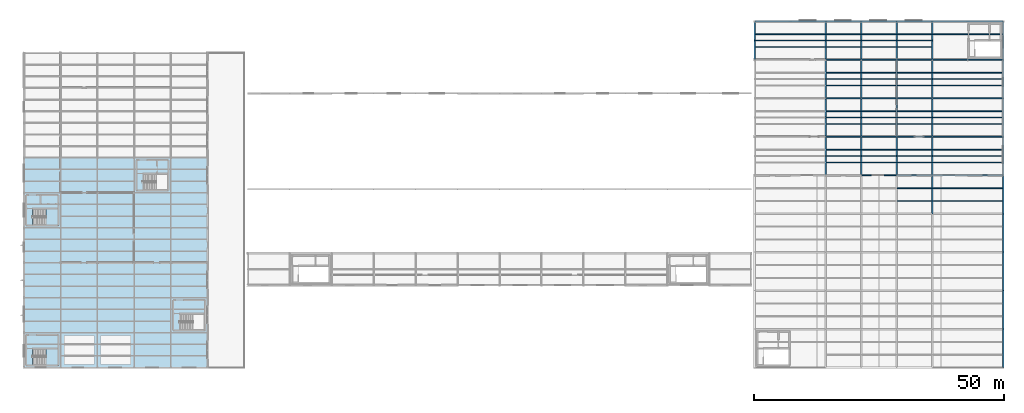
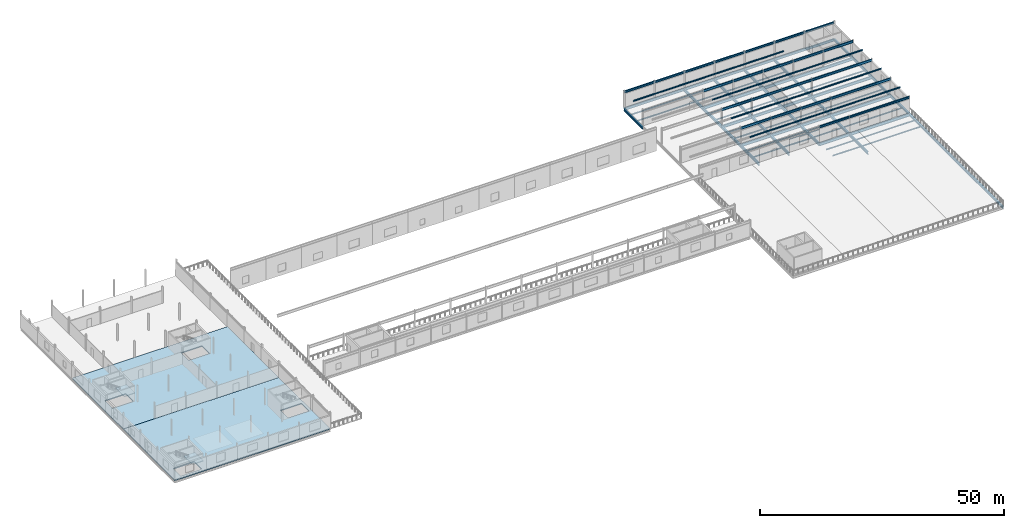
# One storey, part 26 of 39: 119 beams, 4 slabs, 2 elements without a shape of their own.
"""IFC4 building model written with IfcOpenShell, lengths in metres."""

from ifc_helpers import new_model, si_unit, direction, frame, origin, origin_2d, place, context, subcontext, project, spatial, polyline, hollow_rectangle, i_section, outline, extrude, material, layer, layer_set, material_profile, profile_set, type_object, element, aggregate, save


model = new_model("IFC4")

# Units and contexts
model_context = context("Model", 3, precision=1e-05, world=origin(), true_north=direction((0.0, 1.0)))
body_context = subcontext(model_context, "Body", "Model", "MODEL_VIEW")
ifc_project = project(units=[si_unit("LENGTHUNIT", "METRE"), si_unit("AREAUNIT", "SQUARE_METRE"), si_unit("VOLUMEUNIT", "CUBIC_METRE"), si_unit("PLANEANGLEUNIT", "RADIAN"), si_unit("MASSUNIT", "GRAM", prefix="KILO")], contexts=[model_context])

# Site, building, storey
site_placement = place(None, origin())
site = spatial("IfcSite", under=ifc_project, at=site_placement, CompositionType="ELEMENT")
building_placement = place(site_placement, origin())
building = spatial("IfcBuilding", under=site, at=building_placement, Name="Kazenagashi Tramway Depot", CompositionType="ELEMENT")
storey_placement = place(building_placement, frame((0.0, 0.0, 11.1)))
storey = spatial("IfcBuildingStorey", under=building, at=storey_placement, Name="L03", CompositionType="ELEMENT", Elevation=11.1)

# Beams
ifc_material_1 = material(Name="Steel SN490B", Category="steel")
ifc_material_profile_1 = material_profile(ifc_material_1, i_section(OverallWidth=0.3, OverallDepth=0.7, WebThickness=0.013, FlangeThickness=0.024, at=origin_2d()), Name="H-700x300x13x24")
ifc_profile_set_1 = profile_set([ifc_material_profile_1], Name="Steel SN490B")
beam_type_1 = type_object("IfcBeamType", Name="G-02", PredefinedType="BEAM", material=ifc_profile_set_1)
beam_1_placement = place(storey_placement, frame((174.7, 38.5, -0.6), z_axis=(1.0, 0.0, 0.0), x_axis=(0.0, 1.0, 0.0)))
element("IfcBeam", 1, at=beam_1_placement, inside=storey, type_object=beam_type_1, Name="Beam G-02 BM-1382", PredefinedType="BEAM", context=body_context, shape_type="SweptSolid", body=[
    extrude(i_section(OverallWidth=0.3, OverallDepth=0.7, WebThickness=0.013, FlangeThickness=0.024, at=origin_2d()), origin(), (0.0, 0.0, 1.0), 7.1),
])
beam_2_placement = place(storey_placement, frame((181.8, 38.5, -0.6), z_axis=(1.0, 0.0, 0.0), x_axis=(0.0, 1.0, 0.0)))
element("IfcBeam", 2, at=beam_2_placement, inside=storey, type_object=beam_type_1, Name="Beam G-02 BM-1383", PredefinedType="BEAM", context=body_context, shape_type="SweptSolid", body=[
    extrude(i_section(OverallWidth=0.3, OverallDepth=0.7, WebThickness=0.013, FlangeThickness=0.024, at=origin_2d()), origin(), (0.0, 0.0, 1.0), 14.2),
])
for number, where, z_axis, x_axis, name in (
    (3, (160.5, 46.2, -0.6), (1.0, 0.0, 0.0), (0.0, 1.0, 0.0), "Beam G-02 BM-1385"),
    (4, (167.6, 46.2, -0.6), (1.0, 0.0, 0.0), (0.0, 1.0, 0.0), "Beam G-02 BM-1386"),
    (5, (174.7, 46.2, -0.6), (1.0, 0.0, 0.0), (0.0, 1.0, 0.0), "Beam G-02 BM-1387"),
):
    element("IfcBeam", number, at=place(storey_placement, frame(where, z_axis=z_axis, x_axis=x_axis)), inside=storey, type_object=beam_type_1, Name=name, PredefinedType="BEAM", context=body_context, shape_type="SweptSolid", body=[
        extrude(i_section(OverallWidth=0.3, OverallDepth=0.7, WebThickness=0.013, FlangeThickness=0.024, at=origin_2d()), origin(), (0.0, 0.0, 1.0), 7.1),
    ])
beam_3_placement = place(storey_placement, frame((181.8, 46.2, -0.6), z_axis=(1.0, 0.0, 0.0), x_axis=(0.0, 1.0, 0.0)))
element("IfcBeam", 6, at=beam_3_placement, inside=storey, type_object=beam_type_1, Name="Beam G-02 BM-1388", PredefinedType="BEAM", context=body_context, shape_type="SweptSolid", body=[
    extrude(i_section(OverallWidth=0.3, OverallDepth=0.7, WebThickness=0.013, FlangeThickness=0.024, at=origin_2d()), origin(), (0.0, 0.0, 1.0), 14.2),
])
for number, where, z_axis, x_axis, name in (
    (7, (160.5, 53.9, -0.6), (1.0, 0.0, 0.0), (0.0, 1.0, 0.0), "Beam G-02 BM-1390"),
    (8, (167.6, 53.9, -0.6), (1.0, 0.0, 0.0), (0.0, 1.0, 0.0), "Beam G-02 BM-1391"),
    (9, (174.7, 53.9, -0.6), (1.0, 0.0, 0.0), (0.0, 1.0, 0.0), "Beam G-02 BM-1392"),
):
    element("IfcBeam", number, at=place(storey_placement, frame(where, z_axis=z_axis, x_axis=x_axis)), inside=storey, type_object=beam_type_1, Name=name, PredefinedType="BEAM", context=body_context, shape_type="SweptSolid", body=[
        extrude(i_section(OverallWidth=0.3, OverallDepth=0.7, WebThickness=0.013, FlangeThickness=0.024, at=origin_2d()), origin(), (0.0, 0.0, 1.0), 7.1),
    ])
beam_4_placement = place(storey_placement, frame((181.8, 53.9, -0.6), z_axis=(1.0, 0.0, 0.0), x_axis=(0.0, 1.0, 0.0)))
element("IfcBeam", 10, at=beam_4_placement, inside=storey, type_object=beam_type_1, Name="Beam G-02 BM-1393", PredefinedType="BEAM", context=body_context, shape_type="SweptSolid", body=[
    extrude(i_section(OverallWidth=0.3, OverallDepth=0.7, WebThickness=0.013, FlangeThickness=0.024, at=origin_2d()), origin(), (0.0, 0.0, 1.0), 14.2),
])
for number, where, z_axis, x_axis, name in (
    (11, (160.5, 61.6, -0.6), (1.0, 0.0, 0.0), (0.0, 1.0, 0.0), "Beam G-02 BM-1395"),
    (12, (167.6, 61.6, -0.6), (1.0, 0.0, 0.0), (0.0, 1.0, 0.0), "Beam G-02 BM-1396"),
    (13, (174.7, 61.6, -0.6), (1.0, 0.0, 0.0), (0.0, 1.0, 0.0), "Beam G-02 BM-1397"),
):
    element("IfcBeam", number, at=place(storey_placement, frame(where, z_axis=z_axis, x_axis=x_axis)), inside=storey, type_object=beam_type_1, Name=name, PredefinedType="BEAM", context=body_context, shape_type="SweptSolid", body=[
        extrude(i_section(OverallWidth=0.3, OverallDepth=0.7, WebThickness=0.013, FlangeThickness=0.024, at=origin_2d()), origin(), (0.0, 0.0, 1.0), 7.1),
    ])
beam_5_placement = place(storey_placement, frame((181.8, 61.6, -0.6), z_axis=(1.0, 0.0, 0.0), x_axis=(0.0, 1.0, 0.0)))
element("IfcBeam", 14, at=beam_5_placement, inside=storey, type_object=beam_type_1, Name="Beam G-02 BM-1398", PredefinedType="BEAM", context=body_context, shape_type="SweptSolid", body=[
    extrude(i_section(OverallWidth=0.3, OverallDepth=0.7, WebThickness=0.013, FlangeThickness=0.024, at=origin_2d()), origin(), (0.0, 0.0, 1.0), 14.2),
])
for number, where, z_axis, x_axis, name in (
    (15, (160.5, 38.5, -0.6), (0.0, 1.0, 0.0), (-1.0, 0.0, 0.0), "Beam G-02 BM-1445"),
    (16, (160.5, 46.2, -0.6), (0.0, 1.0, 0.0), (-1.0, 0.0, 0.0), "Beam G-02 BM-1448"),
    (17, (160.5, 53.9, -0.6), (0.0, 1.0, 0.0), (-1.0, 0.0, 0.0), "Beam G-02 BM-1451"),
    (18, (160.5, 61.6, -0.6), (0.0, 1.0, 0.0), (-1.0, 0.0, 0.0), "Beam G-02 BM-1454"),
    (19, (167.6, 38.5, -0.6), (0.0, 1.0, 0.0), (-1.0, 0.0, 0.0), "Beam G-02 BM-1472"),
    (20, (167.6, 46.2, -0.6), (0.0, 1.0, 0.0), (-1.0, 0.0, 0.0), "Beam G-02 BM-1475"),
    (21, (167.6, 53.9, -0.6), (0.0, 1.0, 0.0), (-1.0, 0.0, 0.0), "Beam G-02 BM-1478"),
    (22, (167.6, 61.6, -0.6), (0.0, 1.0, 0.0), (-1.0, 0.0, 0.0), "Beam G-02 BM-1481"),
    (23, (174.7, 38.5, -0.6), (0.0, 1.0, 0.0), (-1.0, 0.0, 0.0), "Beam G-02 BM-1499"),
    (24, (174.7, 46.2, -0.6), (0.0, 1.0, 0.0), (-1.0, 0.0, 0.0), "Beam G-02 BM-1502"),
    (25, (174.7, 53.9, -0.6), (0.0, 1.0, 0.0), (-1.0, 0.0, 0.0), "Beam G-02 BM-1505"),
    (26, (174.7, 61.6, -0.6), (0.0, 1.0, 0.0), (-1.0, 0.0, 0.0), "Beam G-02 BM-1508"),
    (27, (181.8, 30.8, -0.6), (0.0, 1.0, 0.0), (-1.0, 0.0, 0.0), "Beam G-02 BM-1523"),
    (28, (181.8, 38.5, -0.6), (0.0, 1.0, 0.0), (-1.0, 0.0, 0.0), "Beam G-02 BM-1526"),
    (29, (181.8, 46.2, -0.6), (0.0, 1.0, 0.0), (-1.0, 0.0, 0.0), "Beam G-02 BM-1529"),
    (30, (181.8, 53.9, -0.6), (0.0, 1.0, 0.0), (-1.0, 0.0, 0.0), "Beam G-02 BM-1532"),
    (31, (181.8, 61.6, -0.6), (0.0, 1.0, 0.0), (-1.0, 0.0, 0.0), "Beam G-02 BM-1535"),
):
    element("IfcBeam", number, at=place(storey_placement, frame(where, z_axis=z_axis, x_axis=x_axis)), inside=storey, type_object=beam_type_1, Name=name, PredefinedType="BEAM", context=body_context, shape_type="SweptSolid", body=[
        extrude(i_section(OverallWidth=0.3, OverallDepth=0.7, WebThickness=0.013, FlangeThickness=0.024, at=origin_2d()), origin(), (0.0, 0.0, 1.0), 7.7),
    ])
ifc_material_profile_2 = material_profile(ifc_material_1, i_section(OverallWidth=0.2, OverallDepth=0.6, WebThickness=0.011, FlangeThickness=0.017, at=origin_2d()), Name="H-600x200x11x17")
ifc_profile_set_2 = profile_set([ifc_material_profile_2], Name="Steel SN490B")
beam_type_2 = type_object("IfcBeamType", Name="G-03", PredefinedType="BEAM", material=ifc_profile_set_2)
for number, where, z_axis, x_axis, name in (
    (32, (160.5, 46.2, 3.7), (1.0, 0.0, 0.0), (0.0, 1.0, 0.0), "Beam G-03 BM-1552"),
    (33, (167.6, 46.2, 3.7), (1.0, 0.0, 0.0), (0.0, 1.0, 0.0), "Beam G-03 BM-1553"),
    (34, (174.7, 46.2, 3.7), (1.0, 0.0, 0.0), (0.0, 1.0, 0.0), "Beam G-03 BM-1554"),
):
    element("IfcBeam", number, at=place(storey_placement, frame(where, z_axis=z_axis, x_axis=x_axis)), inside=storey, type_object=beam_type_2, Name=name, PredefinedType="BEAM", context=body_context, shape_type="SweptSolid", body=[
        extrude(i_section(OverallWidth=0.2, OverallDepth=0.6, WebThickness=0.011, FlangeThickness=0.017, at=origin_2d()), origin(), (0.0, 0.0, 1.0), 7.1),
    ])
beam_6_placement = place(storey_placement, frame((181.8, 46.2, 3.7), z_axis=(1.0, 0.0, 0.0), x_axis=(0.0, 1.0, 0.0)))
element("IfcBeam", 35, at=beam_6_placement, inside=storey, type_object=beam_type_2, Name="Beam G-03 BM-1555", PredefinedType="BEAM", context=body_context, shape_type="SweptSolid", body=[
    extrude(i_section(OverallWidth=0.2, OverallDepth=0.6, WebThickness=0.011, FlangeThickness=0.017, at=origin_2d()), origin(), (0.0, 0.0, 1.0), 14.2),
])
for number, where, z_axis, x_axis, name in (
    (36, (160.5, 53.9, 3.7), (1.0, 0.0, 0.0), (0.0, 1.0, 0.0), "Beam G-03 BM-1557"),
    (37, (167.6, 53.9, 3.7), (1.0, 0.0, 0.0), (0.0, 1.0, 0.0), "Beam G-03 BM-1558"),
    (38, (174.7, 53.9, 3.7), (1.0, 0.0, 0.0), (0.0, 1.0, 0.0), "Beam G-03 BM-1559"),
):
    element("IfcBeam", number, at=place(storey_placement, frame(where, z_axis=z_axis, x_axis=x_axis)), inside=storey, type_object=beam_type_2, Name=name, PredefinedType="BEAM", context=body_context, shape_type="SweptSolid", body=[
        extrude(i_section(OverallWidth=0.2, OverallDepth=0.6, WebThickness=0.011, FlangeThickness=0.017, at=origin_2d()), origin(), (0.0, 0.0, 1.0), 7.1),
    ])
beam_7_placement = place(storey_placement, frame((181.8, 53.9, 3.7), z_axis=(1.0, 0.0, 0.0), x_axis=(0.0, 1.0, 0.0)))
element("IfcBeam", 39, at=beam_7_placement, inside=storey, type_object=beam_type_2, Name="Beam G-03 BM-1560", PredefinedType="BEAM", context=body_context, shape_type="SweptSolid", body=[
    extrude(i_section(OverallWidth=0.2, OverallDepth=0.6, WebThickness=0.011, FlangeThickness=0.017, at=origin_2d()), origin(), (0.0, 0.0, 1.0), 14.2),
])
for number, where, z_axis, x_axis, name in (
    (40, (160.5, 61.6, 3.7), (1.0, 0.0, 0.0), (0.0, 1.0, 0.0), "Beam G-03 BM-1562"),
    (41, (167.6, 61.6, 3.7), (1.0, 0.0, 0.0), (0.0, 1.0, 0.0), "Beam G-03 BM-1563"),
    (42, (174.7, 61.6, 3.7), (1.0, 0.0, 0.0), (0.0, 1.0, 0.0), "Beam G-03 BM-1564"),
):
    element("IfcBeam", number, at=place(storey_placement, frame(where, z_axis=z_axis, x_axis=x_axis)), inside=storey, type_object=beam_type_2, Name=name, PredefinedType="BEAM", context=body_context, shape_type="SweptSolid", body=[
        extrude(i_section(OverallWidth=0.2, OverallDepth=0.6, WebThickness=0.011, FlangeThickness=0.017, at=origin_2d()), origin(), (0.0, 0.0, 1.0), 7.1),
    ])
beam_8_placement = place(storey_placement, frame((181.8, 61.6, 3.7), z_axis=(1.0, 0.0, 0.0), x_axis=(0.0, 1.0, 0.0)))
element("IfcBeam", 43, at=beam_8_placement, inside=storey, type_object=beam_type_2, Name="Beam G-03 BM-1565", PredefinedType="BEAM", context=body_context, shape_type="SweptSolid", body=[
    extrude(i_section(OverallWidth=0.2, OverallDepth=0.6, WebThickness=0.011, FlangeThickness=0.017, at=origin_2d()), origin(), (0.0, 0.0, 1.0), 14.2),
])
ifc_material_2 = material(Name="Steel SN400B", Category="steel")
ifc_material_profile_3 = material_profile(ifc_material_2, i_section(OverallWidth=0.15, OverallDepth=0.3, WebThickness=0.0065, FlangeThickness=0.009, at=origin_2d()), Name="H-300x150x6.5x9")
ifc_profile_set_3 = profile_set([ifc_material_profile_3], Name="Steel SN400B")
beam_type_3 = type_object("IfcBeamType", Name="J-02", PredefinedType="JOIST", material=ifc_profile_set_3)
for number, where, z_axis, x_axis, name in (
    (44, (146.45, 64.167, -0.4), (1.0, 0.0, 0.0), (0.0, 1.0, 0.0), "Beam J-02 BM-1428"),
    (45, (146.45, 66.733, -0.4), (1.0, 0.0, 0.0), (0.0, 1.0, 0.0), "Beam J-02 BM-1429"),
):
    element("IfcBeam", number, at=place(storey_placement, frame(where, z_axis=z_axis, x_axis=x_axis)), inside=storey, type_object=beam_type_3, Name=name, PredefinedType="JOIST", context=body_context, shape_type="SweptSolid", body=[
        extrude(i_section(OverallWidth=0.15, OverallDepth=0.3, WebThickness=0.0065, FlangeThickness=0.009, at=origin_2d()), origin(), (0.0, 0.0, 1.0), 13.9),
    ])
for number, where, z_axis, x_axis, name in (
    (46, (160.65, 41.067, -0.4), (1.0, 0.0, 0.0), (0.0, 1.0, 0.0), "Beam J-02 BM-1446"),
    (47, (160.65, 43.633, -0.4), (1.0, 0.0, 0.0), (0.0, 1.0, 0.0), "Beam J-02 BM-1447"),
    (48, (160.65, 48.767, -0.4), (1.0, 0.0, 0.0), (0.0, 1.0, 0.0), "Beam J-02 BM-1449"),
    (49, (160.65, 51.333, -0.4), (1.0, 0.0, 0.0), (0.0, 1.0, 0.0), "Beam J-02 BM-1450"),
    (50, (160.65, 56.467, -0.4), (1.0, 0.0, 0.0), (0.0, 1.0, 0.0), "Beam J-02 BM-1452"),
    (51, (160.65, 59.033, -0.4), (1.0, 0.0, 0.0), (0.0, 1.0, 0.0), "Beam J-02 BM-1453"),
    (52, (160.65, 64.167, -0.4), (1.0, 0.0, 0.0), (0.0, 1.0, 0.0), "Beam J-02 BM-1455"),
    (53, (160.65, 66.733, -0.4), (1.0, 0.0, 0.0), (0.0, 1.0, 0.0), "Beam J-02 BM-1456"),
    (54, (167.75, 41.067, -0.4), (1.0, 0.0, 0.0), (0.0, 1.0, 0.0), "Beam J-02 BM-1473"),
    (55, (167.75, 43.633, -0.4), (1.0, 0.0, 0.0), (0.0, 1.0, 0.0), "Beam J-02 BM-1474"),
    (56, (167.75, 48.767, -0.4), (1.0, 0.0, 0.0), (0.0, 1.0, 0.0), "Beam J-02 BM-1476"),
    (57, (167.75, 51.333, -0.4), (1.0, 0.0, 0.0), (0.0, 1.0, 0.0), "Beam J-02 BM-1477"),
    (58, (167.75, 56.467, -0.4), (1.0, 0.0, 0.0), (0.0, 1.0, 0.0), "Beam J-02 BM-1479"),
    (59, (167.75, 59.033, -0.4), (1.0, 0.0, 0.0), (0.0, 1.0, 0.0), "Beam J-02 BM-1480"),
    (60, (167.75, 64.167, -0.4), (1.0, 0.0, 0.0), (0.0, 1.0, 0.0), "Beam J-02 BM-1482"),
    (61, (167.75, 66.733, -0.4), (1.0, 0.0, 0.0), (0.0, 1.0, 0.0), "Beam J-02 BM-1483"),
    (62, (174.85, 33.367, -0.4), (1.0, 0.0, 0.0), (0.0, 1.0, 0.0), "Beam J-02 BM-1497"),
    (63, (174.85, 35.933, -0.4), (1.0, 0.0, 0.0), (0.0, 1.0, 0.0), "Beam J-02 BM-1498"),
    (64, (174.85, 41.067, -0.4), (1.0, 0.0, 0.0), (0.0, 1.0, 0.0), "Beam J-02 BM-1500"),
    (65, (174.85, 43.633, -0.4), (1.0, 0.0, 0.0), (0.0, 1.0, 0.0), "Beam J-02 BM-1501"),
    (66, (174.85, 48.767, -0.4), (1.0, 0.0, 0.0), (0.0, 1.0, 0.0), "Beam J-02 BM-1503"),
    (67, (174.85, 51.333, -0.4), (1.0, 0.0, 0.0), (0.0, 1.0, 0.0), "Beam J-02 BM-1504"),
    (68, (174.85, 56.467, -0.4), (1.0, 0.0, 0.0), (0.0, 1.0, 0.0), "Beam J-02 BM-1506"),
    (69, (174.85, 59.033, -0.4), (1.0, 0.0, 0.0), (0.0, 1.0, 0.0), "Beam J-02 BM-1507"),
    (70, (174.85, 64.167, -0.4), (1.0, 0.0, 0.0), (0.0, 1.0, 0.0), "Beam J-02 BM-1509"),
    (71, (174.85, 66.733, -0.4), (1.0, 0.0, 0.0), (0.0, 1.0, 0.0), "Beam J-02 BM-1510"),
):
    element("IfcBeam", number, at=place(storey_placement, frame(where, z_axis=z_axis, x_axis=x_axis)), inside=storey, type_object=beam_type_3, Name=name, PredefinedType="JOIST", context=body_context, shape_type="SweptSolid", body=[
        extrude(i_section(OverallWidth=0.15, OverallDepth=0.3, WebThickness=0.0065, FlangeThickness=0.009, at=origin_2d()), origin(), (0.0, 0.0, 1.0), 6.8),
    ])
for number, where, z_axis, x_axis, name in (
    (72, (181.95, 33.367, -0.4), (1.0, 0.0, 0.0), (0.0, 1.0, 0.0), "Beam J-02 BM-1524"),
    (73, (181.95, 35.933, -0.4), (1.0, 0.0, 0.0), (0.0, 1.0, 0.0), "Beam J-02 BM-1525"),
    (74, (181.95, 41.067, -0.4), (1.0, 0.0, 0.0), (0.0, 1.0, 0.0), "Beam J-02 BM-1527"),
    (75, (181.95, 43.633, -0.4), (1.0, 0.0, 0.0), (0.0, 1.0, 0.0), "Beam J-02 BM-1528"),
    (76, (181.95, 48.767, -0.4), (1.0, 0.0, 0.0), (0.0, 1.0, 0.0), "Beam J-02 BM-1530"),
    (77, (181.95, 51.333, -0.4), (1.0, 0.0, 0.0), (0.0, 1.0, 0.0), "Beam J-02 BM-1531"),
    (78, (181.95, 56.467, -0.4), (1.0, 0.0, 0.0), (0.0, 1.0, 0.0), "Beam J-02 BM-1533"),
    (79, (181.95, 59.033, -0.4), (1.0, 0.0, 0.0), (0.0, 1.0, 0.0), "Beam J-02 BM-1534"),
    (80, (181.95, 66.733, -0.4), (1.0, 0.0, 0.0), (0.0, 1.0, 0.0), "Beam J-02 BM-1536"),
):
    element("IfcBeam", number, at=place(storey_placement, frame(where, z_axis=z_axis, x_axis=x_axis)), inside=storey, type_object=beam_type_3, Name=name, PredefinedType="JOIST", context=body_context, shape_type="SweptSolid", body=[
        extrude(i_section(OverallWidth=0.15, OverallDepth=0.3, WebThickness=0.0065, FlangeThickness=0.009, at=origin_2d()), origin(), (0.0, 0.0, 1.0), 13.9),
    ])
ifc_material_profile_4 = material_profile(ifc_material_2, i_section(OverallWidth=0.125, OverallDepth=0.25, WebThickness=0.006, FlangeThickness=0.009, at=origin_2d()), Name="H-250x125x6x9")
ifc_profile_set_4 = profile_set([ifc_material_profile_4], Name="Steel SN400B")
beam_type_4 = type_object("IfcBeamType", Name="J-03", PredefinedType="JOIST", material=ifc_profile_set_4)
beam_9_placement = place(storey_placement, frame((146.3, 65.45, 3.875), z_axis=(1.0, 0.0, 0.0), x_axis=(0.0, 1.0, 0.0)))
element("IfcBeam", 81, at=beam_9_placement, inside=storey, type_object=beam_type_4, Name="Beam J-03 BM-1574", PredefinedType="JOIST", context=body_context, shape_type="SweptSolid", body=[
    extrude(i_section(OverallWidth=0.125, OverallDepth=0.25, WebThickness=0.006, FlangeThickness=0.009, at=origin_2d()), origin(), (0.0, 0.0, 1.0), 14.2),
])
for number, where, z_axis, x_axis, name in (
    (82, (160.5, 42.35, 3.875), (1.0, 0.0, 0.0), (0.0, 1.0, 0.0), "Beam J-03 BM-1575"),
    (83, (160.5, 50.05, 3.875), (1.0, 0.0, 0.0), (0.0, 1.0, 0.0), "Beam J-03 BM-1576"),
    (84, (160.5, 57.75, 3.875), (1.0, 0.0, 0.0), (0.0, 1.0, 0.0), "Beam J-03 BM-1577"),
    (85, (160.5, 65.45, 3.875), (1.0, 0.0, 0.0), (0.0, 1.0, 0.0), "Beam J-03 BM-1578"),
    (86, (167.6, 42.35, 3.875), (1.0, 0.0, 0.0), (0.0, 1.0, 0.0), "Beam J-03 BM-1579"),
    (87, (167.6, 50.05, 3.875), (1.0, 0.0, 0.0), (0.0, 1.0, 0.0), "Beam J-03 BM-1580"),
    (88, (167.6, 57.75, 3.875), (1.0, 0.0, 0.0), (0.0, 1.0, 0.0), "Beam J-03 BM-1581"),
    (89, (167.6, 65.45, 3.875), (1.0, 0.0, 0.0), (0.0, 1.0, 0.0), "Beam J-03 BM-1582"),
    (90, (174.7, 42.35, 3.875), (1.0, 0.0, 0.0), (0.0, 1.0, 0.0), "Beam J-03 BM-1583"),
    (91, (174.7, 50.05, 3.875), (1.0, 0.0, 0.0), (0.0, 1.0, 0.0), "Beam J-03 BM-1584"),
    (92, (174.7, 57.75, 3.875), (1.0, 0.0, 0.0), (0.0, 1.0, 0.0), "Beam J-03 BM-1585"),
    (93, (174.7, 65.45, 3.875), (1.0, 0.0, 0.0), (0.0, 1.0, 0.0), "Beam J-03 BM-1586"),
):
    element("IfcBeam", number, at=place(storey_placement, frame(where, z_axis=z_axis, x_axis=x_axis)), inside=storey, type_object=beam_type_4, Name=name, PredefinedType="JOIST", context=body_context, shape_type="SweptSolid", body=[
        extrude(i_section(OverallWidth=0.125, OverallDepth=0.25, WebThickness=0.006, FlangeThickness=0.009, at=origin_2d()), origin(), (0.0, 0.0, 1.0), 7.1),
    ])
for number, where, z_axis, x_axis, name in (
    (94, (181.8, 42.35, 3.875), (1.0, 0.0, 0.0), (0.0, 1.0, 0.0), "Beam J-03 BM-1587"),
    (95, (181.8, 50.05, 3.875), (1.0, 0.0, 0.0), (0.0, 1.0, 0.0), "Beam J-03 BM-1588"),
    (96, (181.8, 57.75, 3.875), (1.0, 0.0, 0.0), (0.0, 1.0, 0.0), "Beam J-03 BM-1589"),
):
    element("IfcBeam", number, at=place(storey_placement, frame(where, z_axis=z_axis, x_axis=x_axis)), inside=storey, type_object=beam_type_4, Name=name, PredefinedType="JOIST", context=body_context, shape_type="SweptSolid", body=[
        extrude(i_section(OverallWidth=0.125, OverallDepth=0.25, WebThickness=0.006, FlangeThickness=0.009, at=origin_2d()), origin(), (0.0, 0.0, 1.0), 14.2),
    ])
ifc_material_3 = material(Name="Steel STKR400", Category="steel")
ifc_material_profile_5 = material_profile(ifc_material_3, hollow_rectangle(XDim=0.15, YDim=0.15, WallThickness=0.006, at=origin_2d()), Name="SHS-150x150x6")
ifc_profile_set_5 = profile_set([ifc_material_profile_5], Name="Steel STKR400")
beam_type_5 = type_object("IfcBeamType", Name="LN-03", PredefinedType="LINTEL", material=ifc_profile_set_5)
beam_10_placement = place(storey_placement, frame((167.6, 38.5, 3.105), z_axis=(1.0, 0.0, 0.0), x_axis=(0.0, 1.0, 0.0)))
element("IfcBeam", 97, at=beam_10_placement, inside=storey, type_object=beam_type_5, Name="Steel Opening Lintel LN-03 LNT-0001", PredefinedType="LINTEL", context=body_context, shape_type="SweptSolid", body=[
    extrude(hollow_rectangle(XDim=0.15, YDim=0.15, WallThickness=0.006, at=origin_2d()), origin(), (0.0, 0.0, 1.0), 7.1),
])
ifc_material_profile_6 = material_profile(ifc_material_1, i_section(OverallWidth=0.3, OverallDepth=0.588, WebThickness=0.012, FlangeThickness=0.02, at=origin_2d()), Name="H-588x300x12x20")
ifc_profile_set_6 = profile_set([ifc_material_profile_6], Name="Steel SN490B")
beam_type_6 = type_object("IfcBeamType", Name="SP-01", PredefinedType="SPANDREL", material=ifc_profile_set_6)
beam_11_placement = place(storey_placement, frame((146.3, 69.3, -0.544), z_axis=(1.0, 0.0, 0.0), x_axis=(0.0, 1.0, 0.0)))
element("IfcBeam", 98, at=beam_11_placement, inside=storey, type_object=beam_type_6, Name="Beam SP-01 BM-1399", PredefinedType="SPANDREL", context=body_context, shape_type="SweptSolid", body=[
    extrude(i_section(OverallWidth=0.3, OverallDepth=0.588, WebThickness=0.012, FlangeThickness=0.02, at=origin_2d()), origin(), (0.0, 0.0, 1.0), 14.2),
])
for number, where, z_axis, x_axis, name in (
    (99, (160.5, 69.3, -0.544), (1.0, 0.0, 0.0), (0.0, 1.0, 0.0), "Beam SP-01 BM-1400"),
    (100, (167.6, 69.3, -0.544), (1.0, 0.0, 0.0), (0.0, 1.0, 0.0), "Beam SP-01 BM-1401"),
    (101, (174.7, 69.3, -0.544), (1.0, 0.0, 0.0), (0.0, 1.0, 0.0), "Beam SP-01 BM-1402"),
):
    element("IfcBeam", number, at=place(storey_placement, frame(where, z_axis=z_axis, x_axis=x_axis)), inside=storey, type_object=beam_type_6, Name=name, PredefinedType="SPANDREL", context=body_context, shape_type="SweptSolid", body=[
        extrude(i_section(OverallWidth=0.3, OverallDepth=0.588, WebThickness=0.012, FlangeThickness=0.02, at=origin_2d()), origin(), (0.0, 0.0, 1.0), 7.1),
    ])
beam_12_placement = place(storey_placement, frame((181.8, 69.3, -0.544), z_axis=(1.0, 0.0, 0.0), x_axis=(0.0, 1.0, 0.0)))
element("IfcBeam", 102, at=beam_12_placement, inside=storey, type_object=beam_type_6, Name="Beam SP-01 BM-1403", PredefinedType="SPANDREL", context=body_context, shape_type="SweptSolid", body=[
    extrude(i_section(OverallWidth=0.3, OverallDepth=0.588, WebThickness=0.012, FlangeThickness=0.02, at=origin_2d()), origin(), (0.0, 0.0, 1.0), 14.2),
])
for number, where, z_axis, x_axis, name in (
    (103, (146.3, 61.6, -0.544), (0.0, 1.0, 0.0), (-1.0, 0.0, 0.0), "Beam SP-01 BM-1427"),
    (104, (196.0, 0.0, -0.544), (0.0, 1.0, 0.0), (-1.0, 0.0, 0.0), "Beam SP-01 BM-1537"),
    (105, (196.0, 7.7, -0.544), (0.0, 1.0, 0.0), (-1.0, 0.0, 0.0), "Beam SP-01 BM-1538"),
    (106, (196.0, 15.4, -0.544), (0.0, 1.0, 0.0), (-1.0, 0.0, 0.0), "Beam SP-01 BM-1539"),
    (107, (196.0, 23.1, -0.544), (0.0, 1.0, 0.0), (-1.0, 0.0, 0.0), "Beam SP-01 BM-1540"),
    (108, (196.0, 30.8, -0.544), (0.0, 1.0, 0.0), (-1.0, 0.0, 0.0), "Beam SP-01 BM-1541"),
    (109, (196.0, 38.5, -0.544), (0.0, 1.0, 0.0), (-1.0, 0.0, 0.0), "Beam SP-01 BM-1542"),
    (110, (196.0, 46.2, -0.544), (0.0, 1.0, 0.0), (-1.0, 0.0, 0.0), "Beam SP-01 BM-1543"),
    (111, (196.0, 53.9, -0.544), (0.0, 1.0, 0.0), (-1.0, 0.0, 0.0), "Beam SP-01 BM-1544"),
    (112, (196.0, 61.6, -0.544), (0.0, 1.0, 0.0), (-1.0, 0.0, 0.0), "Beam SP-01 BM-1545"),
):
    element("IfcBeam", number, at=place(storey_placement, frame(where, z_axis=z_axis, x_axis=x_axis)), inside=storey, type_object=beam_type_6, Name=name, PredefinedType="SPANDREL", context=body_context, shape_type="SweptSolid", body=[
        extrude(i_section(OverallWidth=0.3, OverallDepth=0.588, WebThickness=0.012, FlangeThickness=0.02, at=origin_2d()), origin(), (0.0, 0.0, 1.0), 7.7),
    ])
ifc_material_profile_7 = material_profile(ifc_material_1, i_section(OverallWidth=0.3, OverallDepth=0.488, WebThickness=0.011, FlangeThickness=0.018, at=origin_2d()), Name="H-488x300x11x18")
ifc_profile_set_7 = profile_set([ifc_material_profile_7], Name="Steel SN490B")
beam_type_7 = type_object("IfcBeamType", Name="SP-02", PredefinedType="SPANDREL", material=ifc_profile_set_7)
beam_13_placement = place(storey_placement, frame((174.7, 38.5, 3.756), z_axis=(1.0, 0.0, 0.0), x_axis=(0.0, 1.0, 0.0)))
element("IfcBeam", 113, at=beam_13_placement, inside=storey, type_object=beam_type_7, Name="Beam SP-02 BM-1549", PredefinedType="SPANDREL", context=body_context, shape_type="SweptSolid", body=[
    extrude(i_section(OverallWidth=0.3, OverallDepth=0.488, WebThickness=0.011, FlangeThickness=0.018, at=origin_2d()), origin(), (0.0, 0.0, 1.0), 7.1),
])
for number, where, z_axis, x_axis, name in (
    (114, (181.8, 38.5, 3.756), (1.0, 0.0, 0.0), (0.0, 1.0, 0.0), "Beam SP-02 BM-1550"),
    (115, (146.3, 69.3, 3.756), (1.0, 0.0, 0.0), (0.0, 1.0, 0.0), "Beam SP-02 BM-1566"),
):
    element("IfcBeam", number, at=place(storey_placement, frame(where, z_axis=z_axis, x_axis=x_axis)), inside=storey, type_object=beam_type_7, Name=name, PredefinedType="SPANDREL", context=body_context, shape_type="SweptSolid", body=[
        extrude(i_section(OverallWidth=0.3, OverallDepth=0.488, WebThickness=0.011, FlangeThickness=0.018, at=origin_2d()), origin(), (0.0, 0.0, 1.0), 14.2),
    ])
for number, where, z_axis, x_axis, name in (
    (116, (160.5, 69.3, 3.756), (1.0, 0.0, 0.0), (0.0, 1.0, 0.0), "Beam SP-02 BM-1567"),
    (117, (167.6, 69.3, 3.756), (1.0, 0.0, 0.0), (0.0, 1.0, 0.0), "Beam SP-02 BM-1568"),
    (118, (174.7, 69.3, 3.756), (1.0, 0.0, 0.0), (0.0, 1.0, 0.0), "Beam SP-02 BM-1569"),
):
    element("IfcBeam", number, at=place(storey_placement, frame(where, z_axis=z_axis, x_axis=x_axis)), inside=storey, type_object=beam_type_7, Name=name, PredefinedType="SPANDREL", context=body_context, shape_type="SweptSolid", body=[
        extrude(i_section(OverallWidth=0.3, OverallDepth=0.488, WebThickness=0.011, FlangeThickness=0.018, at=origin_2d()), origin(), (0.0, 0.0, 1.0), 7.1),
    ])
beam_14_placement = place(storey_placement, frame((181.8, 69.3, 3.756), z_axis=(1.0, 0.0, 0.0), x_axis=(0.0, 1.0, 0.0)))
element("IfcBeam", 119, at=beam_14_placement, inside=storey, type_object=beam_type_7, Name="Beam SP-02 BM-1570", PredefinedType="SPANDREL", context=body_context, shape_type="SweptSolid", body=[
    extrude(i_section(OverallWidth=0.3, OverallDepth=0.488, WebThickness=0.011, FlangeThickness=0.018, at=origin_2d()), origin(), (0.0, 0.0, 1.0), 14.2),
])

# Slabs
ifc_material_4 = material(Name="Concrete Fc36", Category="concrete")
ifc_layer_1 = layer(ifc_material_4, 0.25)
ifc_layer_set_1 = layer_set([ifc_layer_1], Name="Concrete Fc36")
slab_type_1 = type_object("IfcSlabType", Name="SL-04", PredefinedType="FLOOR", material=ifc_layer_set_1)
slab_1_placement = place(storey_placement, frame((0.0, 0.0, -0.25)))
element("IfcSlab", 120, at=slab_1_placement, inside=storey, type_object=slab_type_1, Name="Operations L03 Slab 1 SLAB-082", PredefinedType="FLOOR", context=body_context, shape_type="SweptSolid", body=[
    extrude(outline(polyline([(0.0, 21.0), (36.75, 21.0), (36.75, 0.0), (0.0, 0.0), (0.0, 21.0)]), holes=[polyline([(6.74, 0.61), (6.74, 3.7), (1.76, 3.7), (1.76, 0.61), (6.74, 0.61)]), polyline([(36.14, 7.61), (36.14, 10.7), (31.16, 10.7), (31.16, 7.61), (36.14, 7.61)])]), origin(), (0.0, 0.0, 1.0), 0.25),
])
slab_2_placement = place(storey_placement, frame((0.0, 0.0, -0.25)))
element("IfcSlab", 121, at=slab_2_placement, inside=storey, type_object=slab_type_1, Name="Operations L03 Slab 2 SLAB-083", PredefinedType="FLOOR", context=body_context, shape_type="SweptSolid", body=[
    extrude(outline(polyline([(0.0, 42.0), (36.75, 42.0), (36.75, 21.0), (0.0, 21.0), (0.0, 42.0)]), holes=[polyline([(6.74, 28.61), (6.74, 31.7), (1.76, 31.7), (1.76, 28.61), (6.74, 28.61)]), polyline([(28.79, 35.61), (28.79, 38.7), (23.81, 38.7), (23.81, 35.61), (28.79, 35.61)])]), origin(), (0.0, 0.0, 1.0), 0.25),
])

# Stair, slab
stair_type = type_object("IfcStairType", Name="ST-T4", PredefinedType="USERDEFINED", material=ifc_material_4)
stair_1_placement = place(storey_placement, origin())
stair_1 = element("IfcStair", 122, at=stair_1_placement, inside=storey, type_object=stair_type, Name="Enclosed Escape Stair ST-03", ObjectType="TWO_RETURN_STAIR", PredefinedType="USERDEFINED")
ifc_layer_2 = layer(ifc_material_4, 0.195)
ifc_layer_set_2 = layer_set([ifc_layer_2], Name="Concrete Fc36")
slab_type_2 = type_object("IfcSlabType", Name="SL-LD1", PredefinedType="LANDING", material=ifc_layer_set_2)
slab_3_placement = place(storey_placement, frame((0.0, 0.0, 1.905)))
slab_3 = element("IfcSlab", 123, at=slab_3_placement, type_object=slab_type_2, Name="ST-03 landing 1", PredefinedType="LANDING", context=body_context, shape_type="SweptSolid", body=[
    extrude(outline(polyline([(4.452, 28.41), (6.99, 28.41), (6.99, 31.9), (4.452, 31.9), (4.452, 28.41)])), origin(), (0.0, 0.0, 1.0), 0.195),
])
aggregate(stair_1, [slab_3])

stair_2_placement = place(storey_placement, origin())
stair_2 = element("IfcStair", 124, at=stair_2_placement, inside=storey, type_object=stair_type, Name="Enclosed Escape Stair ST-14", ObjectType="TWO_RETURN_STAIR", PredefinedType="USERDEFINED")
slab_4_placement = place(storey_placement, frame((0.0, 0.0, 1.905)))
slab_4 = element("IfcSlab", 125, at=slab_4_placement, type_object=slab_type_2, Name="ST-14 landing 1", PredefinedType="LANDING", context=body_context, shape_type="SweptSolid", body=[
    extrude(outline(polyline([(4.452, 0.41), (6.99, 0.41), (6.99, 3.9), (4.452, 3.9), (4.452, 0.41)])), origin(), (0.0, 0.0, 1.0), 0.195),
])
aggregate(stair_2, [slab_4])

save(model, "model.ifc")
